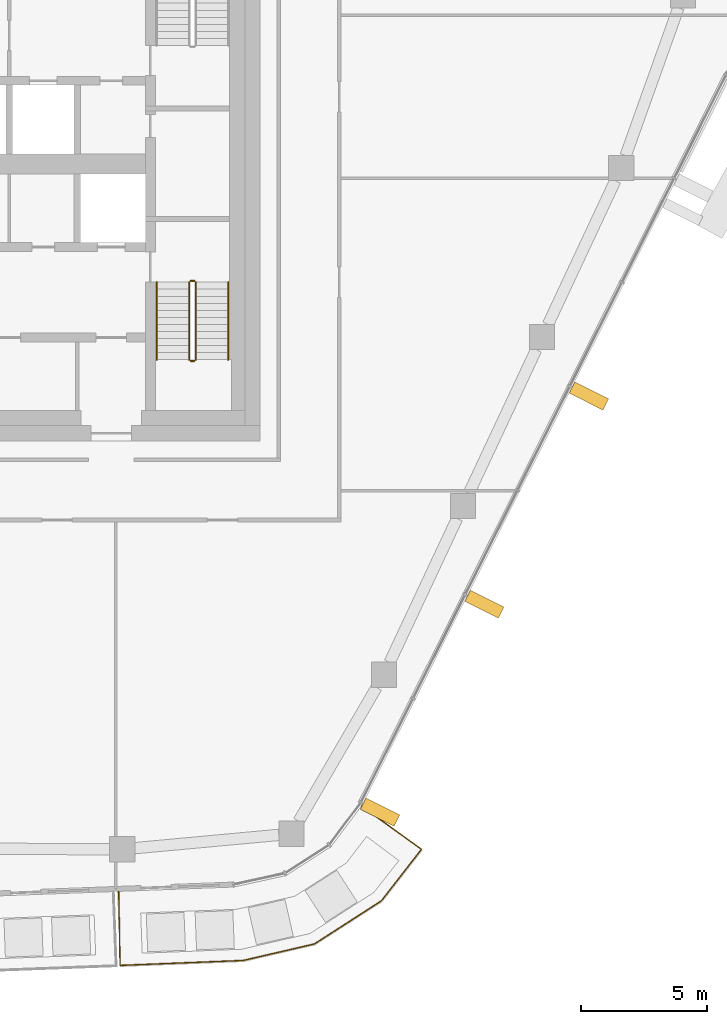
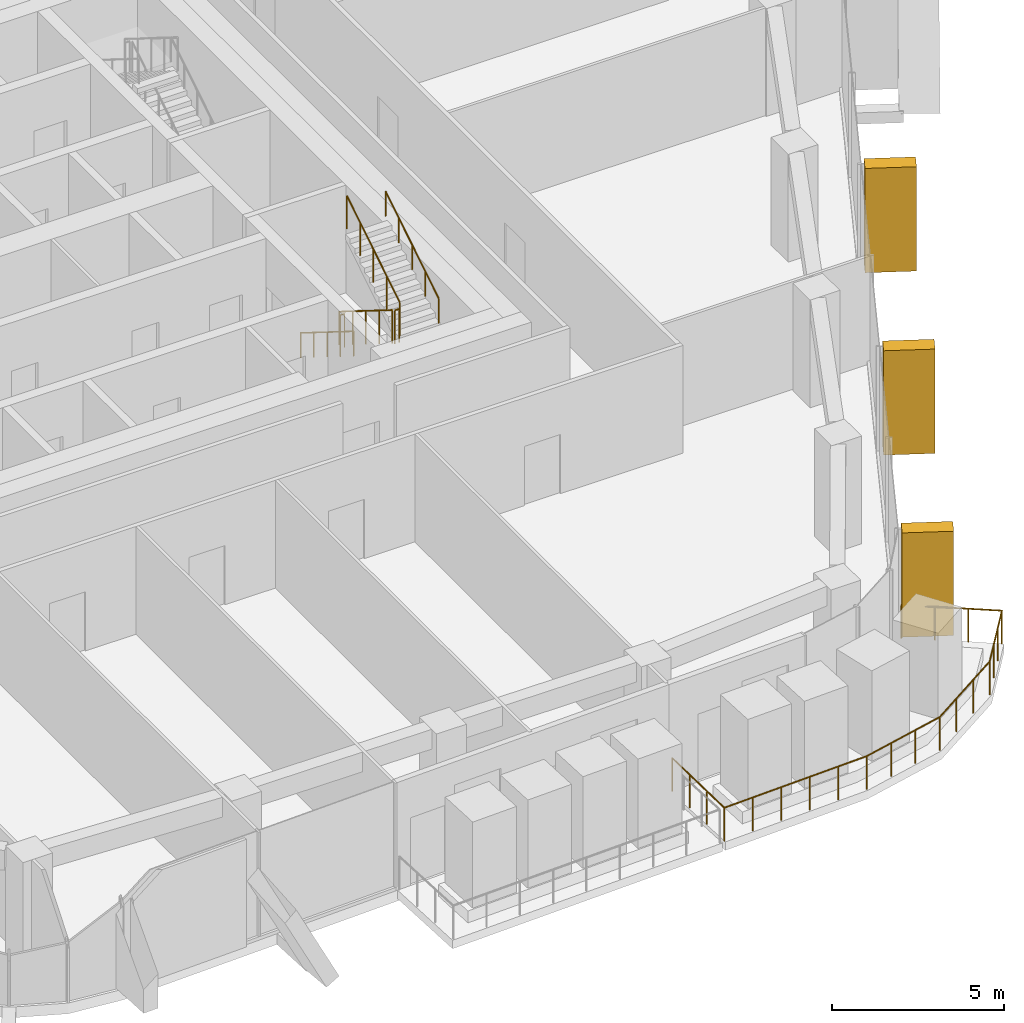
# One storey, part 20 of 24: 7 railings, 3 coverings, 1 element without a shape of its own.
"""IFC4 building model written with IfcOpenShell, lengths in metres."""

from ifc_helpers import new_model, si_unit, direction, frame, origin, origin_2d, place, context, subcontext, project, spatial, rectangle, circle, extrude, material, layer, layer_set, material_profile, profile_set, type_object, element, aggregate, save


model = new_model("IFC4")

# Units and contexts
model_context = context("Model", 3, precision=1e-05, world=origin(), true_north=direction((0.0, 1.0)))
body_context = subcontext(model_context, "Body", "Model", "MODEL_VIEW")
ifc_project = project(units=[si_unit("LENGTHUNIT", "METRE"), si_unit("AREAUNIT", "SQUARE_METRE"), si_unit("VOLUMEUNIT", "CUBIC_METRE"), si_unit("PLANEANGLEUNIT", "RADIAN"), si_unit("MASSUNIT", "GRAM", prefix="KILO")], contexts=[model_context])

# Site, building, storey
site_placement = place(None, origin())
site = spatial("IfcSite", under=ifc_project, at=site_placement, CompositionType="ELEMENT")
building_placement = place(site_placement, origin())
building = spatial("IfcBuilding", under=site, at=building_placement, Name="Dongbaek Canopy Tower", CompositionType="ELEMENT")
storey_placement = place(building_placement, frame((0.0, 0.0, 311.0)))
storey = spatial("IfcBuildingStorey", under=building, at=storey_placement, Name="L66", CompositionType="ELEMENT", Elevation=311.0)

# Railing
ifc_material_1 = material(Name="Stainless steel", Category="steel")
railing_type_1 = type_object("IfcRailingType", Name="Balcony balustrade 1200", PredefinedType="BALUSTRADE", material=ifc_material_1)
railing_1_placement = place(storey_placement, frame((8.393310546875, -28.89794921875, 0.0)))
element("IfcRailing", 1, at=railing_1_placement, inside=storey, type_object=railing_type_1, Name="Balcony guard L66 7", PredefinedType="BALUSTRADE", context=body_context, shape_type="SweptSolid", body=[
    extrude(circle(Radius=0.02392578125, at=origin_2d()), frame((0.0, 0.0, 1.17578125), z_axis=(0.017351866977, -0.999849445023, 0.0), x_axis=(0.999849445023, 0.017351866977, 0.0)), (0.0, 0.0, 1.0), 2.940673828125),
    extrude(circle(Radius=0.02392578125, at=origin_2d()), frame((0.051025390625, -2.940185546875, 1.17578125), z_axis=(0.999197288662, 0.040059684597, 0.0), x_axis=(-0.040059684597, 0.999197288662, 0.0)), (0.0, 0.0, 1.0), 4.893798828125),
    extrude(circle(Radius=0.02392578125, at=origin_2d()), frame((4.94091796875, -2.744140625, 1.17578125), z_axis=(0.974196885176, 0.225699864672, 0.0), x_axis=(-0.225699864672, 0.974196885176, 0.0)), (0.0, 0.0, 1.0), 2.906494140625),
    extrude(circle(Radius=0.02392578125, at=origin_2d()), frame((7.7724609375, -2.088134765625, 1.17578125), z_axis=(0.840992986953, 0.541046020128, 0.0), x_axis=(-0.541046020128, 0.840992986953, 0.0)), (0.0, 0.0, 1.0), 3.16552734375),
    extrude(circle(Radius=0.02392578125, at=origin_2d()), frame((10.4345703125, -0.37548828125, 1.17578125), z_axis=(0.6139341016, 0.789357282156, 0.0), x_axis=(-0.789357282156, 0.6139341016, 0.0)), (0.0, 0.0, 1.0), 2.595458984375),
    extrude(circle(Radius=0.02392578125, at=origin_2d()), frame((12.028076171875, 1.67333984375, 1.17578125), z_axis=(-0.812272292102, 0.583278427069, 0.0), x_axis=(-0.583278427069, -0.812272292102, 0.0)), (0.0, 0.0, 1.0), 2.9404296875),
    extrude(circle(Radius=0.02099609375, at=origin_2d()), origin(), (0.0, 0.0, 1.0), 1.15185546875),
    extrude(circle(Radius=0.02099609375, at=origin_2d()), frame((0.01708984375, -0.97998046875, 0.0)), (0.0, 0.0, 1.0), 1.15185546875),
    extrude(circle(Radius=0.02099609375, at=origin_2d()), frame((0.033935546875, -1.960205078125, 0.0)), (0.0, 0.0, 1.0), 1.15185546875),
    extrude(circle(Radius=0.02099609375, at=origin_2d()), frame((0.051025390625, -2.940185546875, 0.0)), (0.0, 0.0, 1.0), 1.15185546875),
    extrude(circle(Radius=0.02099609375, at=origin_2d()), frame((1.029052734375, -2.90087890625, 0.0)), (0.0, 0.0, 1.0), 1.15185546875),
    extrude(circle(Radius=0.02099609375, at=origin_2d()), frame((2.007080078125, -2.86181640625, 0.0)), (0.0, 0.0, 1.0), 1.15185546875),
    extrude(circle(Radius=0.02099609375, at=origin_2d()), frame((2.98486328125, -2.822509765625, 0.0)), (0.0, 0.0, 1.0), 1.15185546875),
    extrude(circle(Radius=0.02099609375, at=origin_2d()), frame((3.962890625, -2.783447265625, 0.0)), (0.0, 0.0, 1.0), 1.15185546875),
    extrude(circle(Radius=0.02099609375, at=origin_2d()), frame((4.94091796875, -2.744140625, 0.0)), (0.0, 0.0, 1.0), 1.15185546875),
    extrude(circle(Radius=0.02099609375, at=origin_2d()), frame((5.884765625, -2.525390625, 0.0)), (0.0, 0.0, 1.0), 1.15185546875),
    extrude(circle(Radius=0.02099609375, at=origin_2d()), frame((6.82861328125, -2.306884765625, 0.0)), (0.0, 0.0, 1.0), 1.15185546875),
    extrude(circle(Radius=0.02099609375, at=origin_2d()), frame((7.7724609375, -2.088134765625, 0.0)), (0.0, 0.0, 1.0), 1.15185546875),
    extrude(circle(Radius=0.02099609375, at=origin_2d()), frame((8.659912109375, -1.517333984375, 0.0)), (0.0, 0.0, 1.0), 1.15185546875),
    extrude(circle(Radius=0.02099609375, at=origin_2d()), frame((9.547119140625, -0.9462890625, 0.0)), (0.0, 0.0, 1.0), 1.15185546875),
    extrude(circle(Radius=0.02099609375, at=origin_2d()), frame((10.4345703125, -0.37548828125, 0.0)), (0.0, 0.0, 1.0), 1.15185546875),
    extrude(circle(Radius=0.02099609375, at=origin_2d()), frame((10.9658203125, 0.307373046875, 0.0)), (0.0, 0.0, 1.0), 1.15185546875),
    extrude(circle(Radius=0.02099609375, at=origin_2d()), frame((11.496826171875, 0.990478515625, 0.0)), (0.0, 0.0, 1.0), 1.15185546875),
    extrude(circle(Radius=0.02099609375, at=origin_2d()), frame((12.028076171875, 1.67333984375, 0.0)), (0.0, 0.0, 1.0), 1.15185546875),
    extrude(circle(Radius=0.02099609375, at=origin_2d()), frame((11.23193359375, 2.2451171875, 0.0)), (0.0, 0.0, 1.0), 1.15185546875),
    extrude(circle(Radius=0.02099609375, at=origin_2d()), frame((10.435791015625, 2.816650390625, 0.0)), (0.0, 0.0, 1.0), 1.15185546875),
    extrude(circle(Radius=0.02099609375, at=origin_2d()), frame((9.6396484375, 3.388427734375, 0.0)), (0.0, 0.0, 1.0), 1.15185546875),
])

# Curtain wall, coverings
ifc_material_2 = material(Name="Aluminium 6063-T6 pale anodised", Category="aluminium")
ifc_layer = layer(ifc_material_2, 0.199951171875)
ifc_layer_set = layer_set([ifc_layer], Name="CW-1 unitised tower curtain wall")
curtain_wall_type = type_object("IfcCurtainWallType", Name="CW-1 unitised tower curtain wall", PredefinedType="NOTDEFINED", material=ifc_layer_set)
curtain_wall_placement = place(storey_placement, origin())
curtain_wall = element("IfcCurtainWall", 2, at=curtain_wall_placement, inside=storey, type_object=curtain_wall_type, Name="CW-1 curtain wall F5.1", PredefinedType="NOTDEFINED")
ifc_material_3 = material(Name="Aluminium 6063-T6 pale metal fin", Category="aluminium")
ifc_material_profile = material_profile(ifc_material_3, rectangle(XDim=1.5, YDim=0.5, at=origin_2d()), Name="Fin FN1 500 x 1500 pale metal")
ifc_profile_set = profile_set([ifc_material_profile], Name="Aluminium 6063-T6 pale metal fin")
covering_type = type_object("IfcCoveringType", Name="Fin FN1 500 x 1500 pale metal", PredefinedType="CLADDING", material=ifc_profile_set)
covering_1_placement = place(storey_placement, frame((18.773193359375, -25.75, 0.1201171875), z_axis=(0.0, 0.0, 1.0), x_axis=(0.893733414129, -0.448598466859, 0.0)))
covering_1 = element("IfcCovering", 3, at=covering_1_placement, type_object=covering_type, Name="Fin F5.1.1", PredefinedType="CLADDING", context=body_context, shape_type="SweptSolid", body=[
    extrude(rectangle(XDim=1.5, YDim=0.5, at=origin_2d()), origin(), (0.0, 0.0, 1.0), 3.699951171875),
])
covering_2_placement = place(storey_placement, frame((22.9189453125, -17.490234375, 0.1201171875), z_axis=(0.0, 0.0, 1.0), x_axis=(0.893733414129, -0.448598466859, 0.0)))
covering_2 = element("IfcCovering", 4, at=covering_2_placement, type_object=covering_type, Name="Fin F5.1.3", PredefinedType="CLADDING", context=body_context, shape_type="SweptSolid", body=[
    extrude(rectangle(XDim=1.5, YDim=0.5, at=origin_2d()), origin(), (0.0, 0.0, 1.0), 3.699951171875),
])
covering_3_placement = place(storey_placement, frame((27.06884765625, -9.222412109375, 0.1201171875), z_axis=(0.0, 0.0, 1.0), x_axis=(0.893733414129, -0.448598466859, 0.0)))
covering_3 = element("IfcCovering", 5, at=covering_3_placement, type_object=covering_type, Name="Fin F5.1.5", PredefinedType="CLADDING", context=body_context, shape_type="SweptSolid", body=[
    extrude(rectangle(XDim=1.5, YDim=0.5, at=origin_2d()), origin(), (0.0, 0.0, 1.0), 3.699951171875),
])
aggregate(curtain_wall, [covering_1, covering_2, covering_3])

# Railings
ifc_material_4 = material(Name="Stainless steel tube and balusters", Category="steel")
railing_type_2 = type_object("IfcRailingType", Name="Stair guard 1200", PredefinedType="GUARDRAIL", material=ifc_material_4)
railing_2_placement = place(storey_placement, frame((11.199951171875, -4.699951171875, 0.175048828125)))
element("IfcRailing", 6, at=railing_2_placement, inside=storey, type_object=railing_type_2, Name="L66 ST-B stair guard 1", PredefinedType="GUARDRAIL", context=body_context, shape_type="SweptSolid", body=[
    extrude(circle(Radius=0.02392578125, at=origin_2d()), frame((0.0, 0.0, 1.17578125), z_axis=(0.0, -0.847998304005, 0.529998940003), x_axis=(1.0, 0.0, 0.0)), (0.0, 0.0, 1.0), 3.632080078125),
    extrude(circle(Radius=0.02099609375, at=origin_2d()), origin(), (0.0, 0.0, 1.0), 1.15185546875),
    extrude(circle(Radius=0.02099609375, at=origin_2d()), frame((0.0, -0.77001953125, 0.481201171875)), (0.0, 0.0, 1.0), 1.15185546875),
    extrude(circle(Radius=0.02099609375, at=origin_2d()), frame((0.0, -1.5400390625, 0.96240234375)), (0.0, 0.0, 1.0), 1.15185546875),
    extrude(circle(Radius=0.02099609375, at=origin_2d()), frame((0.0, -2.31005859375, 1.44384765625)), (0.0, 0.0, 1.0), 1.15185546875),
    extrude(circle(Radius=0.02099609375, at=origin_2d()), frame((0.0, -3.080078125, 1.925048828125)), (0.0, 0.0, 1.0), 1.15185546875),
])
railing_3_placement = place(storey_placement, frame((11.25, -7.830078125, 2.10009765625)))
element("IfcRailing", 7, at=railing_3_placement, inside=storey, type_object=railing_type_2, Name="L66 ST-B stair guard 2", PredefinedType="GUARDRAIL", context=body_context, shape_type="SweptSolid", body=[
    extrude(circle(Radius=0.02392578125, at=origin_2d()), frame((0.0, 0.0, 1.17578125), z_axis=(1.0, 0.0, 0.0), x_axis=(0.0, 1.0, 0.0)), (0.0, 0.0, 1.0), 0.14990234375),
    extrude(circle(Radius=0.02099609375, at=origin_2d()), origin(), (0.0, 0.0, 1.0), 1.15185546875),
    extrude(circle(Radius=0.02099609375, at=origin_2d()), frame((0.14990234375, 0.0, 0.0)), (0.0, 0.0, 1.0), 1.15185546875),
])
railing_4_placement = place(storey_placement, frame((11.449951171875, -7.780029296875, 2.27490234375)))
element("IfcRailing", 8, at=railing_4_placement, inside=storey, type_object=railing_type_2, Name="L66 ST-B stair guard 3", PredefinedType="GUARDRAIL", context=body_context, shape_type="SweptSolid", body=[
    extrude(circle(Radius=0.02392578125, at=origin_2d()), frame((0.0, 0.0, 1.17578125), z_axis=(0.0, 0.847998304005, 0.529998940003), x_axis=(-1.0, 0.0, 0.0)), (0.0, 0.0, 1.0), 3.632080078125),
    extrude(circle(Radius=0.02099609375, at=origin_2d()), origin(), (0.0, 0.0, 1.0), 1.15185546875),
    extrude(circle(Radius=0.02099609375, at=origin_2d()), frame((0.0, 0.77001953125, 0.481201171875)), (0.0, 0.0, 1.0), 1.15185546875),
    extrude(circle(Radius=0.02099609375, at=origin_2d()), frame((0.0, 1.5400390625, 0.96240234375)), (0.0, 0.0, 1.0), 1.15185546875),
    extrude(circle(Radius=0.02099609375, at=origin_2d()), frame((0.0, 2.31005859375, 1.44384765625)), (0.0, 0.0, 1.0), 1.15185546875),
    extrude(circle(Radius=0.02099609375, at=origin_2d()), frame((0.0, 3.080078125, 1.925048828125)), (0.0, 0.0, 1.0), 1.15185546875),
])
railing_5_placement = place(storey_placement, frame((11.25, -4.64990234375, 0.0)))
element("IfcRailing", 9, at=railing_5_placement, inside=storey, type_object=railing_type_2, Name="L66 ST-B stair guard 4", PredefinedType="GUARDRAIL", context=body_context, shape_type="SweptSolid", body=[
    extrude(circle(Radius=0.02392578125, at=origin_2d()), frame((0.0, 0.0, 1.17578125), z_axis=(1.0, 0.0, 0.0), x_axis=(0.0, 1.0, 0.0)), (0.0, 0.0, 1.0), 0.14990234375),
    extrude(circle(Radius=0.02099609375, at=origin_2d()), origin(), (0.0, 0.0, 1.0), 1.15185546875),
    extrude(circle(Radius=0.02099609375, at=origin_2d()), frame((0.14990234375, 0.0, 0.0)), (0.0, 0.0, 1.0), 1.15185546875),
])
ifc_material_5 = material(Name="Stainless steel tube", Category="steel")
railing_type_3 = type_object("IfcRailingType", Name="Stair handrail 900", PredefinedType="HANDRAIL", material=ifc_material_5)
railing_6_placement = place(storey_placement, frame((9.89990234375, -4.699951171875, 0.175048828125)))
element("IfcRailing", 10, at=railing_6_placement, inside=storey, type_object=railing_type_3, Name="L66 ST-B stair handrail 1", PredefinedType="HANDRAIL", context=body_context, shape_type="SweptSolid", body=[
    extrude(circle(Radius=0.02392578125, at=origin_2d()), frame((0.0, 0.0, 0.8759765625), z_axis=(0.0, -0.847998304005, 0.529998940003), x_axis=(1.0, 0.0, 0.0)), (0.0, 0.0, 1.0), 3.632080078125),
    extrude(circle(Radius=0.02099609375, at=origin_2d()), origin(), (0.0, 0.0, 1.0), 0.851806640625),
    extrude(circle(Radius=0.02099609375, at=origin_2d()), frame((0.0, -0.77001953125, 0.481201171875)), (0.0, 0.0, 1.0), 0.851806640625),
    extrude(circle(Radius=0.02099609375, at=origin_2d()), frame((0.0, -1.5400390625, 0.96240234375)), (0.0, 0.0, 1.0), 0.851806640625),
    extrude(circle(Radius=0.02099609375, at=origin_2d()), frame((0.0, -2.31005859375, 1.44384765625)), (0.0, 0.0, 1.0), 0.851806640625),
    extrude(circle(Radius=0.02099609375, at=origin_2d()), frame((0.0, -3.080078125, 1.925048828125)), (0.0, 0.0, 1.0), 0.851806640625),
])
railing_7_placement = place(storey_placement, frame((12.75, -7.780029296875, 2.27490234375)))
element("IfcRailing", 11, at=railing_7_placement, inside=storey, type_object=railing_type_3, Name="L66 ST-B stair handrail 2", PredefinedType="HANDRAIL", context=body_context, shape_type="SweptSolid", body=[
    extrude(circle(Radius=0.02392578125, at=origin_2d()), frame((0.0, 0.0, 0.8759765625), z_axis=(0.0, 0.847998304005, 0.529998940003), x_axis=(-1.0, 0.0, 0.0)), (0.0, 0.0, 1.0), 3.632080078125),
    extrude(circle(Radius=0.02099609375, at=origin_2d()), origin(), (0.0, 0.0, 1.0), 0.851806640625),
    extrude(circle(Radius=0.02099609375, at=origin_2d()), frame((0.0, 0.77001953125, 0.481201171875)), (0.0, 0.0, 1.0), 0.851806640625),
    extrude(circle(Radius=0.02099609375, at=origin_2d()), frame((0.0, 1.5400390625, 0.96240234375)), (0.0, 0.0, 1.0), 0.851806640625),
    extrude(circle(Radius=0.02099609375, at=origin_2d()), frame((0.0, 2.31005859375, 1.44384765625)), (0.0, 0.0, 1.0), 0.851806640625),
    extrude(circle(Radius=0.02099609375, at=origin_2d()), frame((0.0, 3.080078125, 1.925048828125)), (0.0, 0.0, 1.0), 0.851806640625),
])

save(model, "model.ifc")
